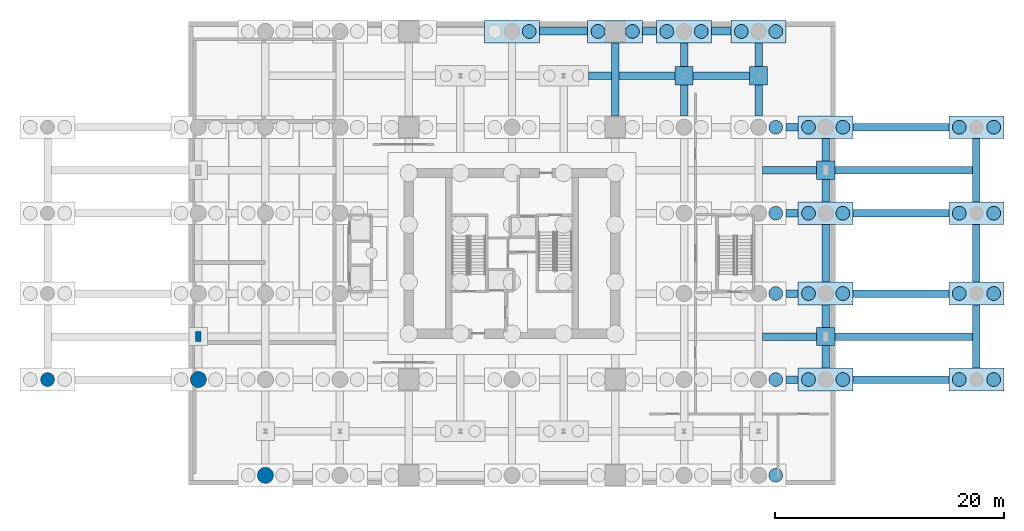
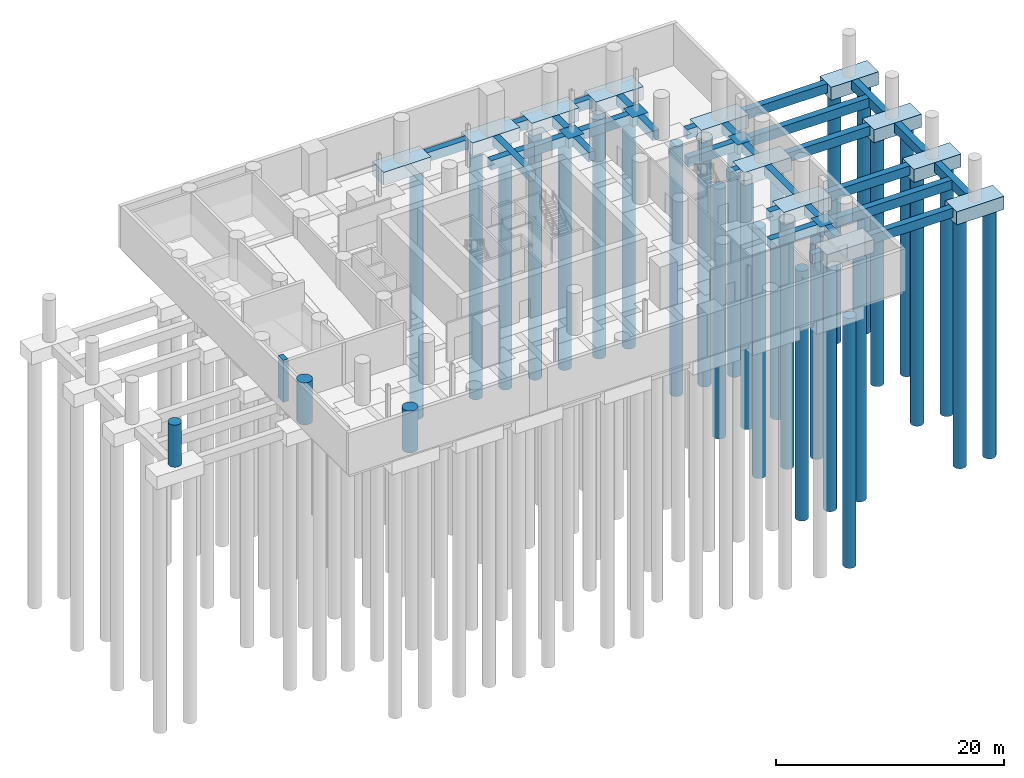
# One storey, part 4 of 12: 47 footings, 28 piles, 4 columns.
"""IFC4 building model written with IfcOpenShell, lengths in metres."""

from ifc_helpers import new_model, si_unit, direction, frame, origin, origin_2d, place, context, subcontext, project, spatial, polyline, rectangle, circle, outline, extrude, material, layer, layer_set, material_profile, profile_set, type_object, element, save


model = new_model("IFC4")

# Units and contexts
model_context = context("Model", 3, precision=1e-05, world=origin(), true_north=direction((0.0, 1.0)))
body_context = subcontext(model_context, "Body", "Model", "MODEL_VIEW")
ifc_project = project(units=[si_unit("LENGTHUNIT", "METRE"), si_unit("AREAUNIT", "SQUARE_METRE"), si_unit("VOLUMEUNIT", "CUBIC_METRE"), si_unit("PLANEANGLEUNIT", "RADIAN"), si_unit("MASSUNIT", "GRAM", prefix="KILO")], contexts=[model_context])

# Site, building, storey
site_placement = place(None, origin())
site = spatial("IfcSite", under=ifc_project, at=site_placement, CompositionType="ELEMENT")
building_placement = place(site_placement, origin())
building = spatial("IfcBuilding", under=site, at=building_placement, Name="Veldorim Arch Residences", CompositionType="ELEMENT")
storey_placement = place(building_placement, frame((0.0, 0.0, -9.0)))
storey = spatial("IfcBuildingStorey", under=building, at=storey_placement, Name="B2", CompositionType="ELEMENT", Elevation=-9.0)

# Piles
ifc_material_1 = material(Name="Concrete C50/60", Category="concrete")
ifc_material_profile_1 = material_profile(ifc_material_1, circle(Radius=0.60009765625, at=origin_2d()), Name="PILE_1200")
ifc_profile_set_1 = profile_set([ifc_material_profile_1], Name="Concrete C50/60")
pile_type = type_object("IfcPileType", Name="Bored Rock-Socketed Pile 1200", PredefinedType="BORED", material=ifc_profile_set_1)
for number, where, z_axis, x_axis, name in (
    (1, (45.5, 43.35009765625, -1.25), (0.0, 0.0, -1.0), (1.0, 0.0, 0.0), "Cap 22 bored pile W"),
    (2, (48.5, 43.35009765625, -1.25), (0.0, 0.0, -1.0), (1.0, 0.0, 0.0), "Cap 22 bored pile E"),
    (3, (55.0, 4.64990234375, -1.25), (0.0, 0.0, -1.0), (1.0, 0.0, 0.0), "Cap 23 bored pile E"),
    (4, (55.0, 13.0, -1.25), (0.0, 0.0, -1.0), (1.0, 0.0, 0.0), "Cap 24 bored pile E"),
    (5, (55.0, 20.5, -1.25), (0.0, 0.0, -1.0), (1.0, 0.0, 0.0), "Cap 25 bored pile E"),
    (6, (55.0, 27.5, -1.25), (0.0, 0.0, -1.0), (1.0, 0.0, 0.0), "Cap 26 bored pile E"),
    (7, (55.0, 35.0, -1.25), (0.0, 0.0, -1.0), (1.0, 0.0, 0.0), "Cap 27 bored pile E"),
    (8, (52.0, 43.35009765625, -1.25), (0.0, 0.0, -1.0), (1.0, 0.0, 0.0), "Cap 28 bored pile W"),
    (9, (55.0, 43.35009765625, -1.25), (0.0, 0.0, -1.0), (1.0, 0.0, 0.0), "Cap 28 bored pile E"),
    (10, (57.85009765625, 13.0, -1.25), (0.0, 0.0, -1.0), (1.0, 0.0, 0.0), "Cap 29 bored pile W"),
    (11, (60.85009765625, 13.0, -1.25), (0.0, 0.0, -1.0), (1.0, 0.0, 0.0), "Cap 29 bored pile E"),
    (12, (57.85009765625, 20.5, -1.25), (0.0, 0.0, -1.0), (1.0, 0.0, 0.0), "Cap 30 bored pile W"),
    (13, (60.85009765625, 20.5, -1.25), (0.0, 0.0, -1.0), (1.0, 0.0, 0.0), "Cap 30 bored pile E"),
    (14, (57.85009765625, 27.5, -1.25), (0.0, 0.0, -1.0), (1.0, 0.0, 0.0), "Cap 31 bored pile W"),
    (15, (60.85009765625, 27.5, -1.25), (0.0, 0.0, -1.0), (1.0, 0.0, 0.0), "Cap 31 bored pile E"),
    (16, (57.85009765625, 35.0, -1.25), (0.0, 0.0, -1.0), (1.0, 0.0, 0.0), "Cap 32 bored pile W"),
    (17, (60.85009765625, 35.0, -1.25), (0.0, 0.0, -1.0), (1.0, 0.0, 0.0), "Cap 32 bored pile E"),
    (18, (33.5, 43.35009765625, -1.25), (0.0, 0.0, -1.0), (1.0, 0.0, 0.0), "Cap 40 bored pile E"),
    (19, (39.5, 43.35009765625, -1.25), (0.0, 0.0, -1.0), (1.0, 0.0, 0.0), "Cap 44 bored pile W"),
    (20, (42.5, 43.35009765625, -1.25), (0.0, 0.0, -1.0), (1.0, 0.0, 0.0), "Cap 44 bored pile E"),
    (21, (71.0, 13.0, -1.25), (0.0, 0.0, -1.0), (1.0, 0.0, 0.0), "Cap 49 bored pile W"),
    (22, (74.0, 13.0, -1.25), (0.0, 0.0, -1.0), (1.0, 0.0, 0.0), "Cap 49 bored pile E"),
    (23, (71.0, 20.5, -1.25), (0.0, 0.0, -1.0), (1.0, 0.0, 0.0), "Cap 50 bored pile W"),
    (24, (74.0, 20.5, -1.25), (0.0, 0.0, -1.0), (1.0, 0.0, 0.0), "Cap 50 bored pile E"),
    (25, (71.0, 27.5, -1.25), (0.0, 0.0, -1.0), (1.0, 0.0, 0.0), "Cap 51 bored pile W"),
    (26, (74.0, 27.5, -1.25), (0.0, 0.0, -1.0), (1.0, 0.0, 0.0), "Cap 51 bored pile E"),
    (27, (71.0, 35.0, -1.25), (0.0, 0.0, -1.0), (1.0, 0.0, 0.0), "Cap 52 bored pile W"),
    (28, (74.0, 35.0, -1.25), (0.0, 0.0, -1.0), (1.0, 0.0, 0.0), "Cap 52 bored pile E"),
):
    element("IfcPile", number, at=place(storey_placement, frame(where, z_axis=z_axis, x_axis=x_axis)), inside=storey, type_object=pile_type, Name=name, PredefinedType="BORED", context=body_context, shape_type="SweptSolid", body=[
        extrude(circle(Radius=0.60009765625, at=origin_2d()), origin(), (0.0, 0.0, 1.0), 26.75),
    ])

# Footings
ifc_material_2 = material(Name="Concrete C50/60", Category="concrete")
ifc_layer_1 = layer(ifc_material_2, 1.0, Name="Continuous Ground Tie Beam 650x1000")
ifc_layer_set_1 = layer_set([ifc_layer_1], Name="Concrete C50/60")
footing_type_1 = type_object("IfcFootingType", Name="Continuous Ground Tie Beam 650x1000", PredefinedType="FOOTING_BEAM", material=ifc_layer_set_1)
footing_1_placement = place(storey_placement, frame((0.0, 0.0, -1.0)))
element("IfcFooting", 29, at=footing_1_placement, inside=storey, type_object=footing_type_1, Name="North-south ground tie beam 036", PredefinedType="FOOTING_BEAM", context=body_context, shape_type="SweptSolid", body=[
    extrude(outline(polyline([(40.675048828125, 36.0), (41.324951171875, 36.0), (41.324951171875, 42.35009765625), (40.675048828125, 42.35009765625), (40.675048828125, 36.0)])), origin(), (0.0, 0.0, 1.0), 1.0),
])
footing_2_placement = place(storey_placement, frame((0.0, 0.0, -1.0)))
element("IfcFooting", 30, at=footing_2_placement, inside=storey, type_object=footing_type_1, Name="North-south ground tie beam 042", PredefinedType="FOOTING_BEAM", context=body_context, shape_type="SweptSolid", body=[
    extrude(outline(polyline([(46.675048828125, 36.0), (47.324951171875, 36.0), (47.324951171875, 38.699951171875), (46.675048828125, 38.699951171875), (46.675048828125, 36.0)])), origin(), (0.0, 0.0, 1.0), 1.0),
])
footing_3_placement = place(storey_placement, frame((0.0, 0.0, -1.0)))
element("IfcFooting", 31, at=footing_3_placement, inside=storey, type_object=footing_type_1, Name="North-south ground tie beam 043", PredefinedType="FOOTING_BEAM", context=body_context, shape_type="SweptSolid", body=[
    extrude(outline(polyline([(46.675048828125, 40.300048828125), (47.324951171875, 40.300048828125), (47.324951171875, 42.35009765625), (46.675048828125, 42.35009765625), (46.675048828125, 40.300048828125)])), origin(), (0.0, 0.0, 1.0), 1.0),
])
footing_4_placement = place(storey_placement, frame((0.0, 0.0, -1.0)))
element("IfcFooting", 32, at=footing_4_placement, inside=storey, type_object=footing_type_1, Name="North-south ground tie beam 049", PredefinedType="FOOTING_BEAM", context=body_context, shape_type="SweptSolid", body=[
    extrude(outline(polyline([(53.175048828125, 36.0), (53.824951171875, 36.0), (53.824951171875, 38.699951171875), (53.175048828125, 38.699951171875), (53.175048828125, 36.0)])), origin(), (0.0, 0.0, 1.0), 1.0),
])
footing_5_placement = place(storey_placement, frame((0.0, 0.0, -1.0)))
element("IfcFooting", 33, at=footing_5_placement, inside=storey, type_object=footing_type_1, Name="North-south ground tie beam 050", PredefinedType="FOOTING_BEAM", context=body_context, shape_type="SweptSolid", body=[
    extrude(outline(polyline([(53.175048828125, 40.300048828125), (53.824951171875, 40.300048828125), (53.824951171875, 42.35009765625), (53.175048828125, 42.35009765625), (53.175048828125, 40.300048828125)])), origin(), (0.0, 0.0, 1.0), 1.0),
])
footing_6_placement = place(storey_placement, frame((0.0, 0.0, -1.0)))
element("IfcFooting", 34, at=footing_6_placement, inside=storey, type_object=footing_type_1, Name="North-south ground tie beam 051", PredefinedType="FOOTING_BEAM", context=body_context, shape_type="SweptSolid", body=[
    extrude(outline(polyline([(59.02490234375, 14.0), (59.675048828125, 14.0), (59.675048828125, 15.949951171875), (59.02490234375, 15.949951171875), (59.02490234375, 14.0)])), origin(), (0.0, 0.0, 1.0), 1.0),
])
footing_7_placement = place(storey_placement, frame((0.0, 0.0, -1.0)))
element("IfcFooting", 35, at=footing_7_placement, inside=storey, type_object=footing_type_1, Name="North-south ground tie beam 052", PredefinedType="FOOTING_BEAM", context=body_context, shape_type="SweptSolid", body=[
    extrude(outline(polyline([(59.02490234375, 17.550048828125), (59.675048828125, 17.550048828125), (59.675048828125, 19.5), (59.02490234375, 19.5), (59.02490234375, 17.550048828125)])), origin(), (0.0, 0.0, 1.0), 1.0),
])
footing_8_placement = place(storey_placement, frame((0.0, 0.0, -1.0)))
element("IfcFooting", 36, at=footing_8_placement, inside=storey, type_object=footing_type_1, Name="North-south ground tie beam 053", PredefinedType="FOOTING_BEAM", context=body_context, shape_type="SweptSolid", body=[
    extrude(outline(polyline([(59.02490234375, 21.5), (59.675048828125, 21.5), (59.675048828125, 26.5), (59.02490234375, 26.5), (59.02490234375, 21.5)])), origin(), (0.0, 0.0, 1.0), 1.0),
])
footing_9_placement = place(storey_placement, frame((0.0, 0.0, -1.0)))
element("IfcFooting", 37, at=footing_9_placement, inside=storey, type_object=footing_type_1, Name="North-south ground tie beam 054", PredefinedType="FOOTING_BEAM", context=body_context, shape_type="SweptSolid", body=[
    extrude(outline(polyline([(59.02490234375, 28.5), (59.675048828125, 28.5), (59.675048828125, 30.449951171875), (59.02490234375, 30.449951171875), (59.02490234375, 28.5)])), origin(), (0.0, 0.0, 1.0), 1.0),
])
footing_10_placement = place(storey_placement, frame((0.0, 0.0, -1.0)))
element("IfcFooting", 38, at=footing_10_placement, inside=storey, type_object=footing_type_1, Name="North-south ground tie beam 055", PredefinedType="FOOTING_BEAM", context=body_context, shape_type="SweptSolid", body=[
    extrude(outline(polyline([(59.02490234375, 32.050048828125), (59.675048828125, 32.050048828125), (59.675048828125, 34.0), (59.02490234375, 34.0), (59.02490234375, 32.050048828125)])), origin(), (0.0, 0.0, 1.0), 1.0),
])
footing_11_placement = place(storey_placement, frame((0.0, 0.0, -1.0)))
element("IfcFooting", 39, at=footing_11_placement, inside=storey, type_object=footing_type_1, Name="North-south ground tie beam 056", PredefinedType="FOOTING_BEAM", context=body_context, shape_type="SweptSolid", body=[
    extrude(outline(polyline([(72.175048828125, 14.0), (72.824951171875, 14.0), (72.824951171875, 19.5), (72.175048828125, 19.5), (72.175048828125, 14.0)])), origin(), (0.0, 0.0, 1.0), 1.0),
])
footing_12_placement = place(storey_placement, frame((0.0, 0.0, -1.0)))
element("IfcFooting", 40, at=footing_12_placement, inside=storey, type_object=footing_type_1, Name="North-south ground tie beam 057", PredefinedType="FOOTING_BEAM", context=body_context, shape_type="SweptSolid", body=[
    extrude(outline(polyline([(72.175048828125, 21.5), (72.824951171875, 21.5), (72.824951171875, 26.5), (72.175048828125, 26.5), (72.175048828125, 21.5)])), origin(), (0.0, 0.0, 1.0), 1.0),
])
footing_13_placement = place(storey_placement, frame((0.0, 0.0, -1.0)))
element("IfcFooting", 41, at=footing_13_placement, inside=storey, type_object=footing_type_1, Name="North-south ground tie beam 058", PredefinedType="FOOTING_BEAM", context=body_context, shape_type="SweptSolid", body=[
    extrude(outline(polyline([(72.175048828125, 28.5), (72.824951171875, 28.5), (72.824951171875, 34.0), (72.175048828125, 34.0), (72.175048828125, 28.5)])), origin(), (0.0, 0.0, 1.0), 1.0),
])
footing_14_placement = place(storey_placement, frame((0.0, 0.0, -1.0)))
element("IfcFooting", 42, at=footing_14_placement, inside=storey, type_object=footing_type_1, Name="East-west ground tie beam 083", PredefinedType="FOOTING_BEAM", context=body_context, shape_type="SweptSolid", body=[
    extrude(outline(polyline([(55.89990234375, 12.675048828125), (56.949951171875, 12.675048828125), (56.949951171875, 13.324951171875), (55.89990234375, 13.324951171875), (55.89990234375, 12.675048828125)])), origin(), (0.0, 0.0, 1.0), 1.0),
])
footing_15_placement = place(storey_placement, frame((0.0, 0.0, -1.0)))
element("IfcFooting", 43, at=footing_15_placement, inside=storey, type_object=footing_type_1, Name="East-west ground tie beam 084", PredefinedType="FOOTING_BEAM", context=body_context, shape_type="SweptSolid", body=[
    extrude(outline(polyline([(61.75, 12.675048828125), (70.10009765625, 12.675048828125), (70.10009765625, 13.324951171875), (61.75, 13.324951171875), (61.75, 12.675048828125)])), origin(), (0.0, 0.0, 1.0), 1.0),
])
footing_16_placement = place(storey_placement, frame((0.0, 0.0, -1.0)))
element("IfcFooting", 44, at=footing_16_placement, inside=storey, type_object=footing_type_1, Name="East-west ground tie beam 091", PredefinedType="FOOTING_BEAM", context=body_context, shape_type="SweptSolid", body=[
    extrude(outline(polyline([(53.824951171875, 16.425048828125), (58.550048828125, 16.425048828125), (58.550048828125, 17.074951171875), (53.824951171875, 17.074951171875), (53.824951171875, 16.425048828125)])), origin(), (0.0, 0.0, 1.0), 1.0),
])
footing_17_placement = place(storey_placement, frame((0.0, 0.0, -1.0)))
element("IfcFooting", 45, at=footing_17_placement, inside=storey, type_object=footing_type_1, Name="East-west ground tie beam 092", PredefinedType="FOOTING_BEAM", context=body_context, shape_type="SweptSolid", body=[
    extrude(outline(polyline([(60.14990234375, 16.425048828125), (72.175048828125, 16.425048828125), (72.175048828125, 17.074951171875), (60.14990234375, 17.074951171875), (60.14990234375, 16.425048828125)])), origin(), (0.0, 0.0, 1.0), 1.0),
])
footing_18_placement = place(storey_placement, frame((0.0, 0.0, -1.0)))
element("IfcFooting", 46, at=footing_18_placement, inside=storey, type_object=footing_type_1, Name="East-west ground tie beam 099", PredefinedType="FOOTING_BEAM", context=body_context, shape_type="SweptSolid", body=[
    extrude(outline(polyline([(55.89990234375, 20.175048828125), (56.949951171875, 20.175048828125), (56.949951171875, 20.824951171875), (55.89990234375, 20.824951171875), (55.89990234375, 20.175048828125)])), origin(), (0.0, 0.0, 1.0), 1.0),
])
footing_19_placement = place(storey_placement, frame((0.0, 0.0, -1.0)))
element("IfcFooting", 47, at=footing_19_placement, inside=storey, type_object=footing_type_1, Name="East-west ground tie beam 100", PredefinedType="FOOTING_BEAM", context=body_context, shape_type="SweptSolid", body=[
    extrude(outline(polyline([(61.75, 20.175048828125), (70.10009765625, 20.175048828125), (70.10009765625, 20.824951171875), (61.75, 20.824951171875), (61.75, 20.175048828125)])), origin(), (0.0, 0.0, 1.0), 1.0),
])
footing_20_placement = place(storey_placement, frame((0.0, 0.0, -1.0)))
element("IfcFooting", 48, at=footing_20_placement, inside=storey, type_object=footing_type_1, Name="East-west ground tie beam 107", PredefinedType="FOOTING_BEAM", context=body_context, shape_type="SweptSolid", body=[
    extrude(outline(polyline([(55.89990234375, 27.175048828125), (56.949951171875, 27.175048828125), (56.949951171875, 27.824951171875), (55.89990234375, 27.824951171875), (55.89990234375, 27.175048828125)])), origin(), (0.0, 0.0, 1.0), 1.0),
])
footing_21_placement = place(storey_placement, frame((0.0, 0.0, -1.0)))
element("IfcFooting", 49, at=footing_21_placement, inside=storey, type_object=footing_type_1, Name="East-west ground tie beam 108", PredefinedType="FOOTING_BEAM", context=body_context, shape_type="SweptSolid", body=[
    extrude(outline(polyline([(61.75, 27.175048828125), (70.10009765625, 27.175048828125), (70.10009765625, 27.824951171875), (61.75, 27.824951171875), (61.75, 27.175048828125)])), origin(), (0.0, 0.0, 1.0), 1.0),
])
footing_22_placement = place(storey_placement, frame((0.0, 0.0, -1.0)))
element("IfcFooting", 50, at=footing_22_placement, inside=storey, type_object=footing_type_1, Name="East-west ground tie beam 115", PredefinedType="FOOTING_BEAM", context=body_context, shape_type="SweptSolid", body=[
    extrude(outline(polyline([(53.824951171875, 30.925048828125), (58.550048828125, 30.925048828125), (58.550048828125, 31.574951171875), (53.824951171875, 31.574951171875), (53.824951171875, 30.925048828125)])), origin(), (0.0, 0.0, 1.0), 1.0),
])
footing_23_placement = place(storey_placement, frame((0.0, 0.0, -1.0)))
element("IfcFooting", 51, at=footing_23_placement, inside=storey, type_object=footing_type_1, Name="East-west ground tie beam 116", PredefinedType="FOOTING_BEAM", context=body_context, shape_type="SweptSolid", body=[
    extrude(outline(polyline([(60.14990234375, 30.925048828125), (72.175048828125, 30.925048828125), (72.175048828125, 31.574951171875), (60.14990234375, 31.574951171875), (60.14990234375, 30.925048828125)])), origin(), (0.0, 0.0, 1.0), 1.0),
])
footing_24_placement = place(storey_placement, frame((0.0, 0.0, -1.0)))
element("IfcFooting", 52, at=footing_24_placement, inside=storey, type_object=footing_type_1, Name="East-west ground tie beam 127", PredefinedType="FOOTING_BEAM", context=body_context, shape_type="SweptSolid", body=[
    extrude(outline(polyline([(55.89990234375, 34.675048828125), (56.949951171875, 34.675048828125), (56.949951171875, 35.324951171875), (55.89990234375, 35.324951171875), (55.89990234375, 34.675048828125)])), origin(), (0.0, 0.0, 1.0), 1.0),
])
footing_25_placement = place(storey_placement, frame((0.0, 0.0, -1.0)))
element("IfcFooting", 53, at=footing_25_placement, inside=storey, type_object=footing_type_1, Name="East-west ground tie beam 128", PredefinedType="FOOTING_BEAM", context=body_context, shape_type="SweptSolid", body=[
    extrude(outline(polyline([(61.75, 34.675048828125), (70.10009765625, 34.675048828125), (70.10009765625, 35.324951171875), (61.75, 35.324951171875), (61.75, 34.675048828125)])), origin(), (0.0, 0.0, 1.0), 1.0),
])
footing_26_placement = place(storey_placement, frame((0.0, 0.0, -1.0)))
element("IfcFooting", 54, at=footing_26_placement, inside=storey, type_object=footing_type_1, Name="East-west ground tie beam 134", PredefinedType="FOOTING_BEAM", context=body_context, shape_type="SweptSolid", body=[
    extrude(outline(polyline([(38.64990234375, 39.175048828125), (40.675048828125, 39.175048828125), (40.675048828125, 39.824951171875), (38.64990234375, 39.824951171875), (38.64990234375, 39.175048828125)])), origin(), (0.0, 0.0, 1.0), 1.0),
])
footing_27_placement = place(storey_placement, frame((0.0, 0.0, -1.0)))
element("IfcFooting", 55, at=footing_27_placement, inside=storey, type_object=footing_type_1, Name="East-west ground tie beam 135", PredefinedType="FOOTING_BEAM", context=body_context, shape_type="SweptSolid", body=[
    extrude(outline(polyline([(41.324951171875, 39.175048828125), (46.199951171875, 39.175048828125), (46.199951171875, 39.824951171875), (41.324951171875, 39.824951171875), (41.324951171875, 39.175048828125)])), origin(), (0.0, 0.0, 1.0), 1.0),
])
footing_28_placement = place(storey_placement, frame((0.0, 0.0, -1.0)))
element("IfcFooting", 56, at=footing_28_placement, inside=storey, type_object=footing_type_1, Name="East-west ground tie beam 136", PredefinedType="FOOTING_BEAM", context=body_context, shape_type="SweptSolid", body=[
    extrude(outline(polyline([(47.800048828125, 39.175048828125), (52.699951171875, 39.175048828125), (52.699951171875, 39.824951171875), (47.800048828125, 39.824951171875), (47.800048828125, 39.175048828125)])), origin(), (0.0, 0.0, 1.0), 1.0),
])
footing_29_placement = place(storey_placement, frame((0.0, 0.0, -1.0)))
element("IfcFooting", 57, at=footing_29_placement, inside=storey, type_object=footing_type_1, Name="East-west ground tie beam 140", PredefinedType="FOOTING_BEAM", context=body_context, shape_type="SweptSolid", body=[
    extrude(outline(polyline([(34.39990234375, 43.02490234375), (38.60009765625, 43.02490234375), (38.60009765625, 43.675048828125), (34.39990234375, 43.675048828125), (34.39990234375, 43.02490234375)])), origin(), (0.0, 0.0, 1.0), 1.0),
])
footing_30_placement = place(storey_placement, frame((0.0, 0.0, -1.0)))
element("IfcFooting", 58, at=footing_30_placement, inside=storey, type_object=footing_type_1, Name="East-west ground tie beam 141", PredefinedType="FOOTING_BEAM", context=body_context, shape_type="SweptSolid", body=[
    extrude(outline(polyline([(43.39990234375, 43.02490234375), (44.60009765625, 43.02490234375), (44.60009765625, 43.675048828125), (43.39990234375, 43.675048828125), (43.39990234375, 43.02490234375)])), origin(), (0.0, 0.0, 1.0), 1.0),
])
footing_31_placement = place(storey_placement, frame((0.0, 0.0, -1.0)))
element("IfcFooting", 59, at=footing_31_placement, inside=storey, type_object=footing_type_1, Name="East-west ground tie beam 142", PredefinedType="FOOTING_BEAM", context=body_context, shape_type="SweptSolid", body=[
    extrude(outline(polyline([(49.39990234375, 43.02490234375), (51.10009765625, 43.02490234375), (51.10009765625, 43.675048828125), (49.39990234375, 43.675048828125), (49.39990234375, 43.02490234375)])), origin(), (0.0, 0.0, 1.0), 1.0),
])
ifc_material_3 = material(Name="Concrete C50/60", Category="concrete")
ifc_layer_2 = layer(ifc_material_3, 1.39990234375, Name="Perimeter Two-Pile Cap 4800x2000x1400")
ifc_layer_set_2 = layer_set([ifc_layer_2], Name="Concrete C50/60")
footing_type_2 = type_object("IfcFootingType", Name="Perimeter Two-Pile Cap 4800x2000x1400", PredefinedType="PILE_CAP", material=ifc_layer_set_2)
footing_32_placement = place(storey_placement, frame((0.0, 0.0, -1.39990234375)))
element("IfcFooting", 60, at=footing_32_placement, inside=storey, type_object=footing_type_2, Name="Perimeter two-pile cap 22", PredefinedType="PILE_CAP", context=body_context, shape_type="SweptSolid", body=[
    extrude(outline(polyline([(44.60009765625, 42.35009765625), (49.39990234375, 42.35009765625), (49.39990234375, 44.35009765625), (44.60009765625, 44.35009765625), (44.60009765625, 42.35009765625)])), origin(), (0.0, 0.0, 1.0), 1.39990234375),
])
footing_33_placement = place(storey_placement, frame((0.0, 0.0, -1.39990234375)))
element("IfcFooting", 61, at=footing_33_placement, inside=storey, type_object=footing_type_2, Name="Perimeter two-pile cap 28", PredefinedType="PILE_CAP", context=body_context, shape_type="SweptSolid", body=[
    extrude(outline(polyline([(51.10009765625, 42.35009765625), (55.89990234375, 42.35009765625), (55.89990234375, 44.35009765625), (51.10009765625, 44.35009765625), (51.10009765625, 42.35009765625)])), origin(), (0.0, 0.0, 1.0), 1.39990234375),
])
footing_34_placement = place(storey_placement, frame((0.0, 0.0, -1.39990234375)))
element("IfcFooting", 62, at=footing_34_placement, inside=storey, type_object=footing_type_2, Name="Perimeter two-pile cap 29", PredefinedType="PILE_CAP", context=body_context, shape_type="SweptSolid", body=[
    extrude(outline(polyline([(56.949951171875, 12.0), (61.75, 12.0), (61.75, 14.0), (56.949951171875, 14.0), (56.949951171875, 12.0)])), origin(), (0.0, 0.0, 1.0), 1.39990234375),
])
footing_35_placement = place(storey_placement, frame((0.0, 0.0, -1.39990234375)))
element("IfcFooting", 63, at=footing_35_placement, inside=storey, type_object=footing_type_2, Name="Perimeter two-pile cap 30", PredefinedType="PILE_CAP", context=body_context, shape_type="SweptSolid", body=[
    extrude(outline(polyline([(56.949951171875, 19.5), (61.75, 19.5), (61.75, 21.5), (56.949951171875, 21.5), (56.949951171875, 19.5)])), origin(), (0.0, 0.0, 1.0), 1.39990234375),
])
footing_36_placement = place(storey_placement, frame((0.0, 0.0, -1.39990234375)))
element("IfcFooting", 64, at=footing_36_placement, inside=storey, type_object=footing_type_2, Name="Perimeter two-pile cap 31", PredefinedType="PILE_CAP", context=body_context, shape_type="SweptSolid", body=[
    extrude(outline(polyline([(56.949951171875, 26.5), (61.75, 26.5), (61.75, 28.5), (56.949951171875, 28.5), (56.949951171875, 26.5)])), origin(), (0.0, 0.0, 1.0), 1.39990234375),
])
footing_37_placement = place(storey_placement, frame((0.0, 0.0, -1.39990234375)))
element("IfcFooting", 65, at=footing_37_placement, inside=storey, type_object=footing_type_2, Name="Perimeter two-pile cap 32", PredefinedType="PILE_CAP", context=body_context, shape_type="SweptSolid", body=[
    extrude(outline(polyline([(56.949951171875, 34.0), (61.75, 34.0), (61.75, 36.0), (56.949951171875, 36.0), (56.949951171875, 34.0)])), origin(), (0.0, 0.0, 1.0), 1.39990234375),
])
footing_38_placement = place(storey_placement, frame((0.0, 0.0, -1.39990234375)))
element("IfcFooting", 66, at=footing_38_placement, inside=storey, type_object=footing_type_2, Name="Perimeter two-pile cap 40", PredefinedType="PILE_CAP", context=body_context, shape_type="SweptSolid", body=[
    extrude(outline(polyline([(29.60009765625, 42.35009765625), (34.39990234375, 42.35009765625), (34.39990234375, 44.35009765625), (29.60009765625, 44.35009765625), (29.60009765625, 42.35009765625)])), origin(), (0.0, 0.0, 1.0), 1.39990234375),
])
footing_39_placement = place(storey_placement, frame((0.0, 0.0, -1.39990234375)))
element("IfcFooting", 67, at=footing_39_placement, inside=storey, type_object=footing_type_2, Name="Perimeter two-pile cap 44", PredefinedType="PILE_CAP", context=body_context, shape_type="SweptSolid", body=[
    extrude(outline(polyline([(38.60009765625, 42.35009765625), (43.39990234375, 42.35009765625), (43.39990234375, 44.35009765625), (38.60009765625, 44.35009765625), (38.60009765625, 42.35009765625)])), origin(), (0.0, 0.0, 1.0), 1.39990234375),
])
footing_40_placement = place(storey_placement, frame((0.0, 0.0, -1.39990234375)))
element("IfcFooting", 68, at=footing_40_placement, inside=storey, type_object=footing_type_2, Name="Perimeter two-pile cap 49", PredefinedType="PILE_CAP", context=body_context, shape_type="SweptSolid", body=[
    extrude(outline(polyline([(70.10009765625, 12.0), (74.89990234375, 12.0), (74.89990234375, 14.0), (70.10009765625, 14.0), (70.10009765625, 12.0)])), origin(), (0.0, 0.0, 1.0), 1.39990234375),
])
footing_41_placement = place(storey_placement, frame((0.0, 0.0, -1.39990234375)))
element("IfcFooting", 69, at=footing_41_placement, inside=storey, type_object=footing_type_2, Name="Perimeter two-pile cap 50", PredefinedType="PILE_CAP", context=body_context, shape_type="SweptSolid", body=[
    extrude(outline(polyline([(70.10009765625, 19.5), (74.89990234375, 19.5), (74.89990234375, 21.5), (70.10009765625, 21.5), (70.10009765625, 19.5)])), origin(), (0.0, 0.0, 1.0), 1.39990234375),
])
footing_42_placement = place(storey_placement, frame((0.0, 0.0, -1.39990234375)))
element("IfcFooting", 70, at=footing_42_placement, inside=storey, type_object=footing_type_2, Name="Perimeter two-pile cap 51", PredefinedType="PILE_CAP", context=body_context, shape_type="SweptSolid", body=[
    extrude(outline(polyline([(70.10009765625, 26.5), (74.89990234375, 26.5), (74.89990234375, 28.5), (70.10009765625, 28.5), (70.10009765625, 26.5)])), origin(), (0.0, 0.0, 1.0), 1.39990234375),
])
footing_43_placement = place(storey_placement, frame((0.0, 0.0, -1.39990234375)))
element("IfcFooting", 71, at=footing_43_placement, inside=storey, type_object=footing_type_2, Name="Perimeter two-pile cap 52", PredefinedType="PILE_CAP", context=body_context, shape_type="SweptSolid", body=[
    extrude(outline(polyline([(70.10009765625, 34.0), (74.89990234375, 34.0), (74.89990234375, 36.0), (70.10009765625, 36.0), (70.10009765625, 34.0)])), origin(), (0.0, 0.0, 1.0), 1.39990234375),
])
ifc_material_4 = material(Name="Concrete C50/60", Category="concrete")
ifc_layer_3 = layer(ifc_material_4, 1.0, Name="Secondary Column Pad Footing 1600x1600x1000")
ifc_layer_set_3 = layer_set([ifc_layer_3], Name="Concrete C50/60")
footing_type_3 = type_object("IfcFootingType", Name="Secondary Column Pad Footing 1600x1600x1000", PredefinedType="PAD_FOOTING", material=ifc_layer_set_3)
footing_44_placement = place(storey_placement, frame((0.0, 0.0, -1.0)))
element("IfcFooting", 72, at=footing_44_placement, inside=storey, type_object=footing_type_3, Name="Basement pad footing 05", PredefinedType="PAD_FOOTING", context=body_context, shape_type="SweptSolid", body=[
    extrude(outline(polyline([(46.199951171875, 38.699951171875), (47.800048828125, 38.699951171875), (47.800048828125, 40.300048828125), (46.199951171875, 40.300048828125), (46.199951171875, 38.699951171875)])), origin(), (0.0, 0.0, 1.0), 1.0),
])
footing_45_placement = place(storey_placement, frame((0.0, 0.0, -1.0)))
element("IfcFooting", 73, at=footing_45_placement, inside=storey, type_object=footing_type_3, Name="Basement pad footing 06", PredefinedType="PAD_FOOTING", context=body_context, shape_type="SweptSolid", body=[
    extrude(outline(polyline([(52.699951171875, 38.699951171875), (54.300048828125, 38.699951171875), (54.300048828125, 40.300048828125), (52.699951171875, 40.300048828125), (52.699951171875, 38.699951171875)])), origin(), (0.0, 0.0, 1.0), 1.0),
])
footing_46_placement = place(storey_placement, frame((0.0, 0.0, -1.0)))
element("IfcFooting", 74, at=footing_46_placement, inside=storey, type_object=footing_type_3, Name="Basement pad footing 09", PredefinedType="PAD_FOOTING", context=body_context, shape_type="SweptSolid", body=[
    extrude(outline(polyline([(58.550048828125, 15.949951171875), (60.14990234375, 15.949951171875), (60.14990234375, 17.550048828125), (58.550048828125, 17.550048828125), (58.550048828125, 15.949951171875)])), origin(), (0.0, 0.0, 1.0), 1.0),
])
footing_47_placement = place(storey_placement, frame((0.0, 0.0, -1.0)))
element("IfcFooting", 75, at=footing_47_placement, inside=storey, type_object=footing_type_3, Name="Basement pad footing 10", PredefinedType="PAD_FOOTING", context=body_context, shape_type="SweptSolid", body=[
    extrude(outline(polyline([(58.550048828125, 30.449951171875), (60.14990234375, 30.449951171875), (60.14990234375, 32.050048828125), (58.550048828125, 32.050048828125), (58.550048828125, 30.449951171875)])), origin(), (0.0, 0.0, 1.0), 1.0),
])

# Columns
ifc_material_5 = material(Name="Concrete C60/75", Category="concrete")
ifc_material_profile_2 = material_profile(ifc_material_5, circle(Radius=0.60009765625, at=origin_2d()), Name="RC_CIRC_1200")
ifc_profile_set_2 = profile_set([ifc_material_profile_2], Name="Concrete C60/75")
column_type_1 = type_object("IfcColumnType", Name="Structural Column RC_CIRC_1200", PredefinedType="COLUMN", material=ifc_profile_set_2)
column_1_placement = place(storey_placement, frame((-8.5, 13.0, 0.0), z_axis=(0.0, 0.0, 1.0), x_axis=(1.0, 0.0, 0.0)))
element("IfcColumn", 76, at=column_1_placement, inside=storey, type_object=column_type_1, Name="B2 porte-cochere canopy column 01", PredefinedType="COLUMN", context=body_context, shape_type="SweptSolid", body=[
    extrude(circle(Radius=0.60009765625, at=origin_2d()), origin(), (0.0, 0.0, 1.0), 4.5),
])
ifc_material_6 = material(Name="Concrete C60/75", Category="concrete")
ifc_material_profile_3 = material_profile(ifc_material_6, circle(Radius=0.699951171875, at=origin_2d()), Name="RC_CIRC_1400")
ifc_profile_set_3 = profile_set([ifc_material_profile_3], Name="Concrete C60/75")
column_type_2 = type_object("IfcColumnType", Name="Structural Column RC_CIRC_1400", PredefinedType="COLUMN", material=ifc_profile_set_3)
for number, where, z_axis, x_axis, name in (
    (77, (4.64990234375, 13.0, 0.0), (0.0, 0.0, 1.0), (1.0, 0.0, 0.0), "B2 podium column (4.65, 13.00)"),
    (78, (10.5, 4.64990234375, 0.0), (0.0, 0.0, 1.0), (1.0, 0.0, 0.0), "B2 podium column (10.50, 4.65)"),
):
    element("IfcColumn", number, at=place(storey_placement, frame(where, z_axis=z_axis, x_axis=x_axis)), inside=storey, type_object=column_type_2, Name=name, PredefinedType="COLUMN", context=body_context, shape_type="SweptSolid", body=[
        extrude(circle(Radius=0.699951171875, at=origin_2d()), origin(), (0.0, 0.0, 1.0), 4.5),
    ])
ifc_material_7 = material(Name="Concrete C60/75", Category="concrete")
ifc_material_profile_4 = material_profile(ifc_material_7, rectangle(XDim=0.5, YDim=0.89990234375, at=origin_2d()), Name="RC_RECT_500x900")
ifc_profile_set_4 = profile_set([ifc_material_profile_4], Name="Concrete C60/75")
column_type_3 = type_object("IfcColumnType", Name="Structural Pilaster RC_RECT_500x900", PredefinedType="PILASTER", material=ifc_profile_set_4)
column_2_placement = place(storey_placement, frame((4.64990234375, 16.75, 0.0), z_axis=(0.0, 0.0, 1.0), x_axis=(1.0, 0.0, 0.0)))
element("IfcColumn", 79, at=column_2_placement, inside=storey, type_object=column_type_3, Name="B2 facade structural pilaster (4.65, 16.75)", PredefinedType="PILASTER", context=body_context, shape_type="SweptSolid", body=[
    extrude(rectangle(XDim=0.5, YDim=0.89990234375, at=origin_2d()), origin(), (0.0, 0.0, 1.0), 4.5),
])

save(model, "model.ifc")
